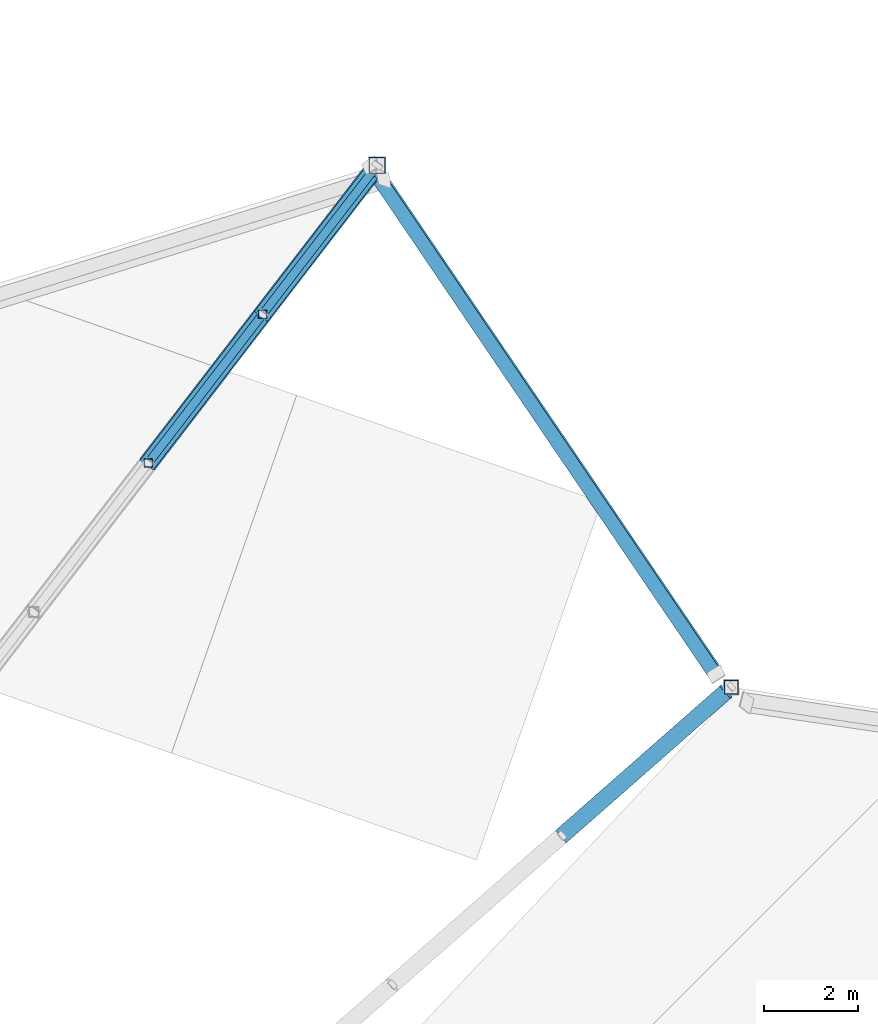
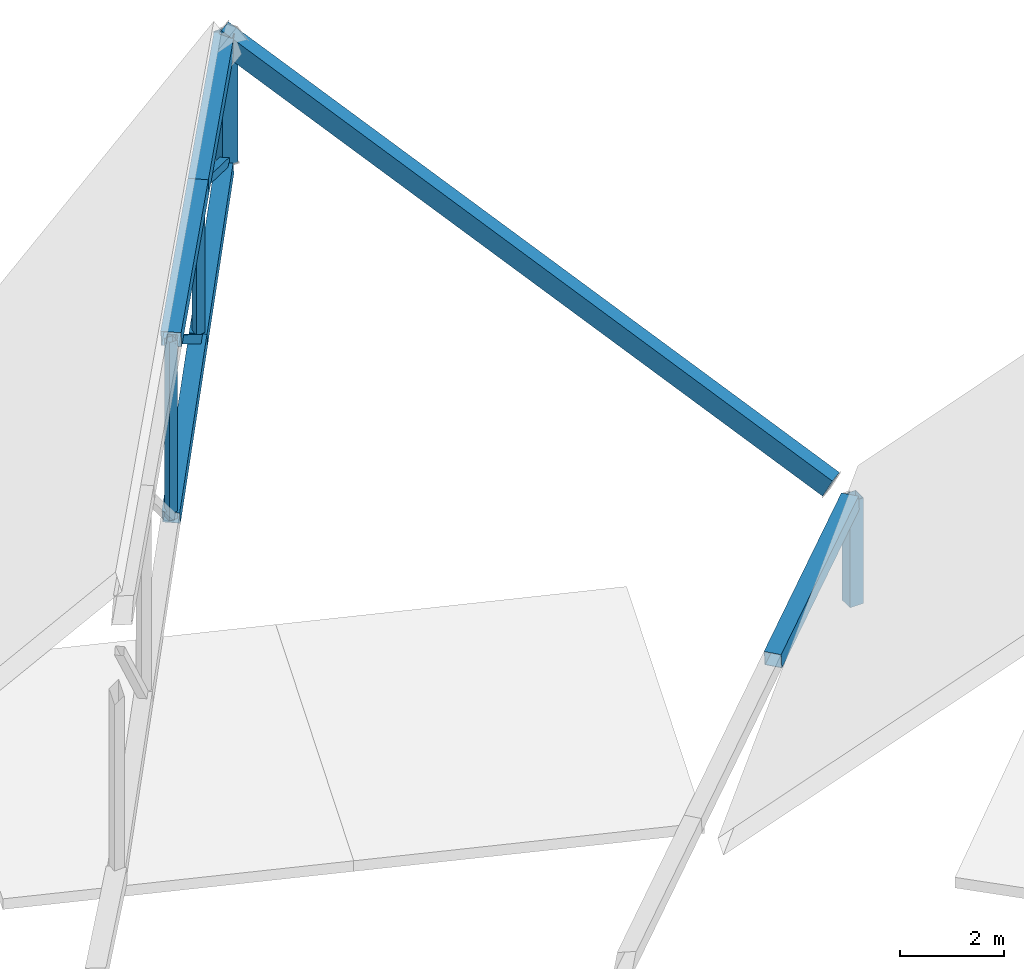
# One storey, part 111 of 188: 11 members, 1 beam.
"""IFC4 building model written with IfcOpenShell, lengths in metres."""

from ifc_helpers import new_model, si_unit, direction, frame, origin, origin_2d, place, context, subcontext, project, spatial, hollow_rectangle, extrude, material, material_profile, profile_set, type_object, element, save


model = new_model("IFC4")

# Units and contexts
model_context = context("Model", 3, precision=1e-05, world=origin(), true_north=direction((0.0, 1.0)))
body_context = subcontext(model_context, "Body", "Model", "MODEL_VIEW")
ifc_project = project(units=[si_unit("LENGTHUNIT", "METRE"), si_unit("AREAUNIT", "SQUARE_METRE"), si_unit("VOLUMEUNIT", "CUBIC_METRE"), si_unit("PLANEANGLEUNIT", "RADIAN"), si_unit("MASSUNIT", "GRAM", prefix="KILO")], contexts=[model_context])

# Site, building, storey
site_placement = place(None, origin())
site = spatial("IfcSite", under=ifc_project, at=site_placement, CompositionType="ELEMENT")
building_placement = place(site_placement, origin())
building = spatial("IfcBuilding", under=site, at=building_placement, Name="Meseta Stadium", CompositionType="ELEMENT")
storey_placement = place(building_placement, frame((0.0, 0.0, 30.0)))
storey = spatial("IfcBuildingStorey", under=building, at=storey_placement, Name="ROOF", CompositionType="ELEMENT", Elevation=30.0)

# Beam
ifc_material_1 = material(Name="Steel S355", Category="steel")
ifc_material_profile_1 = material_profile(ifc_material_1, hollow_rectangle(XDim=0.300048828125, YDim=0.5, WallThickness=0.01611328125, at=origin_2d()), Name="RHS 500x300x16")
ifc_profile_set_1 = profile_set([ifc_material_profile_1], Name="Steel S355")
beam_type = type_object("IfcBeamType", Name="RHS 500x300x16 rim ring beam", PredefinedType="BEAM", material=ifc_profile_set_1)
beam_placement = place(storey_placement, frame((71.531982421875, 91.42919921875, 3.7822265625), z_axis=(-0.501180600457, 0.738615159085, 0.450849922365), x_axis=(-0.84272360708, -0.5349458711, -0.060413881382)))
element("IfcBeam", 1, at=beam_placement, inside=storey, type_object=beam_type, Name="RIM RING BEAM 14", PredefinedType="BEAM", context=body_context, shape_type="SweptSolid", body=[
    extrude(hollow_rectangle(XDim=0.300048828125, YDim=0.5, WallThickness=0.01611328125, at=origin_2d()), origin(), (0.0, 0.0, 1.0), 14.69775390625),
])

# Members
ifc_material_2 = material(Name="Steel S355", Category="steel")
ifc_material_profile_2 = material_profile(ifc_material_2, hollow_rectangle(XDim=0.179931640625, YDim=0.179931640625, WallThickness=0.00634765625, at=origin_2d()), Name="SHS 180x180x6.3")
ifc_profile_set_2 = profile_set([ifc_material_profile_2], Name="Steel S355")
member_type_1 = type_object("IfcMemberType", Name="SHS 180x180x6.3 diagonal", PredefinedType="BRACE", material=ifc_profile_set_2)
member_1_placement = place(storey_placement, frame((59.410400390625, 95.935302734375, 8.718994140625), z_axis=(0.501011440504, 0.651580169951, -0.569588288689), x_axis=(-0.792743963915, 0.609554761836, 0.0)))
element("IfcMember", 2, at=member_1_placement, inside=storey, type_object=member_type_1, Name="ROOF TRUSS RT-14 diagonal", PredefinedType="BRACE", context=body_context, shape_type="SweptSolid", body=[
    extrude(hollow_rectangle(XDim=0.179931640625, YDim=0.179931640625, WallThickness=0.00634765625, at=origin_2d()), origin(), (0.0, 0.0, 1.0), 4.87744140625),
])
member_2_placement = place(storey_placement, frame((61.85400390625, 99.11328125, 9.54443359375), z_axis=(0.535784302245, 0.696819392289, -0.476841604726), x_axis=(-0.792750764849, 0.609545916918, 0.0)))
element("IfcMember", 3, at=member_2_placement, inside=storey, type_object=member_type_1, Name="ROOF TRUSS RT-14 diagonal", PredefinedType="BRACE", context=body_context, shape_type="SweptSolid", body=[
    extrude(hollow_rectangle(XDim=0.179931640625, YDim=0.179931640625, WallThickness=0.00634765625, at=origin_2d()), origin(), (0.0, 0.0, 1.0), 4.560302734375),
])
ifc_material_3 = material(Name="Steel S355", Category="steel")
ifc_material_profile_3 = material_profile(ifc_material_3, hollow_rectangle(XDim=0.179931640625, YDim=0.179931640625, WallThickness=0.00634765625, at=origin_2d()), Name="SHS 180x180x6.3")
ifc_profile_set_3 = profile_set([ifc_material_profile_3], Name="Steel S355")
member_type_2 = type_object("IfcMemberType", Name="SHS 180x180x6.3 post", PredefinedType="POST", material=ifc_profile_set_3)
member_3_placement = place(storey_placement, frame((59.410400390625, 95.935302734375, 4.511962890625), z_axis=(0.0, 0.0, 1.0), x_axis=(1.0, 0.0, 0.0)))
element("IfcMember", 4, at=member_3_placement, inside=storey, type_object=member_type_2, Name="ROOF TRUSS RT-14 post", PredefinedType="POST", context=body_context, shape_type="SweptSolid", body=[
    extrude(hollow_rectangle(XDim=0.179931640625, YDim=0.179931640625, WallThickness=0.00634765625, at=origin_2d()), origin(), (0.0, 0.0, 1.0), 4.20703125),
])
member_4_placement = place(storey_placement, frame((61.85400390625, 99.11328125, 5.94091796875), z_axis=(0.0, 0.0, 1.0), x_axis=(1.0, 0.0, 0.0)))
element("IfcMember", 5, at=member_4_placement, inside=storey, type_object=member_type_2, Name="ROOF TRUSS RT-14 post", PredefinedType="POST", context=body_context, shape_type="SweptSolid", body=[
    extrude(hollow_rectangle(XDim=0.179931640625, YDim=0.179931640625, WallThickness=0.00634765625, at=origin_2d()), origin(), (0.0, 0.0, 1.0), 3.603515625),
])
ifc_material_4 = material(Name="Steel S355", Category="steel")
ifc_material_profile_4 = material_profile(ifc_material_4, hollow_rectangle(XDim=0.300048828125, YDim=0.300048828125, WallThickness=0.010009765625, at=origin_2d()), Name="SHS 300x300x10")
ifc_profile_set_4 = profile_set([ifc_material_profile_4], Name="Steel S355")
member_type_3 = type_object("IfcMemberType", Name="SHS 300x300x10 rim post", PredefinedType="POST", material=ifc_profile_set_4)
member_5_placement = place(storey_placement, frame((71.856689453125, 91.15087890625, 1.066162109375), z_axis=(0.0, 0.0, 1.0), x_axis=(1.0, 0.0, 0.0)))
element("IfcMember", 6, at=member_5_placement, inside=storey, type_object=member_type_3, Name="ROOF TRUSS RT-13 post", PredefinedType="POST", context=body_context, shape_type="SweptSolid", body=[
    extrude(hollow_rectangle(XDim=0.300048828125, YDim=0.300048828125, WallThickness=0.010009765625, at=origin_2d()), origin(), (0.0, 0.0, 1.0), 2.49365234375),
])
ifc_material_5 = material(Name="Steel S355", Category="steel")
ifc_material_profile_5 = material_profile(ifc_material_5, hollow_rectangle(XDim=0.35009765625, YDim=0.35009765625, WallThickness=0.010009765625, at=origin_2d()), Name="SHS 350x350x10")
ifc_profile_set_5 = profile_set([ifc_material_profile_5], Name="Steel S355")
member_type_4 = type_object("IfcMemberType", Name="SHS 350x350x10 bottom chord", PredefinedType="CHORD", material=ifc_profile_set_5)
member_6_placement = place(storey_placement, frame((59.410400390625, 95.935302734375, 4.511962890625), z_axis=(0.574168873902, 0.746723571944, 0.335758858922), x_axis=(-0.792743963915, 0.609554761836, 0.0)))
element("IfcMember", 7, at=member_6_placement, inside=storey, type_object=member_type_4, Name="ROOF TRUSS RT-14 bottom chord", PredefinedType="CHORD", context=body_context, shape_type="SweptSolid", body=[
    extrude(hollow_rectangle(XDim=0.35009765625, YDim=0.35009765625, WallThickness=0.010009765625, at=origin_2d()), origin(), (0.0, 0.0, 1.0), 4.255859375),
])
member_7_placement = place(storey_placement, frame((61.85400390625, 99.11328125, 5.94091796875), z_axis=(0.574162848253, 0.746704856627, 0.335810781207), x_axis=(-0.79273967261, 0.609560342764, 0.0)))
element("IfcMember", 8, at=member_7_placement, inside=storey, type_object=member_type_4, Name="ROOF TRUSS RT-14 bottom chord", PredefinedType="CHORD", context=body_context, shape_type="SweptSolid", body=[
    extrude(hollow_rectangle(XDim=0.35009765625, YDim=0.35009765625, WallThickness=0.010009765625, at=origin_2d()), origin(), (0.0, 0.0, 1.0), 4.080810546875),
])
ifc_material_6 = material(Name="Steel S355", Category="steel")
ifc_material_profile_6 = material_profile(ifc_material_6, hollow_rectangle(XDim=0.35009765625, YDim=0.35009765625, WallThickness=0.010009765625, at=origin_2d()), Name="SHS 350x350x10")
ifc_profile_set_6 = profile_set([ifc_material_profile_6], Name="Steel S355")
member_type_5 = type_object("IfcMemberType", Name="SHS 350x350x10 top chord", PredefinedType="CHORD", material=ifc_profile_set_6)
member_8_placement = place(storey_placement, frame((68.239501953125, 87.9716796875, 2.893798828125), z_axis=(0.744043554402, 0.653933397629, 0.137004746698), x_axis=(-0.660158433584, 0.751126382554, 0.0)))
element("IfcMember", 9, at=member_8_placement, inside=storey, type_object=member_type_5, Name="ROOF TRUSS RT-13 top chord", PredefinedType="CHORD", context=body_context, shape_type="SweptSolid", body=[
    extrude(hollow_rectangle(XDim=0.35009765625, YDim=0.35009765625, WallThickness=0.010009765625, at=origin_2d()), origin(), (0.0, 0.0, 1.0), 4.711669921875),
])
ifc_material_7 = material(Name="Steel S355", Category="steel")
ifc_material_profile_7 = material_profile(ifc_material_7, hollow_rectangle(XDim=0.35009765625, YDim=0.35009765625, WallThickness=0.01416015625, at=origin_2d()), Name="SHS 350x350x14.2")
ifc_profile_set_7 = profile_set([ifc_material_profile_7], Name="Steel S355")
member_type_6 = type_object("IfcMemberType", Name="SHS 350x350x14.2 rim post", PredefinedType="POST", material=ifc_profile_set_7)
member_9_placement = place(storey_placement, frame((64.29736328125, 102.291015625, 7.369873046875), z_axis=(0.0, 0.0, 1.0), x_axis=(1.0, 0.0, 0.0)))
element("IfcMember", 10, at=member_9_placement, inside=storey, type_object=member_type_6, Name="ROOF TRUSS RT-14 post", PredefinedType="POST", context=body_context, shape_type="SweptSolid", body=[
    extrude(hollow_rectangle(XDim=0.35009765625, YDim=0.35009765625, WallThickness=0.01416015625, at=origin_2d()), origin(), (0.0, 0.0, 1.0), 3.0),
])
ifc_material_8 = material(Name="Steel S355", Category="steel")
ifc_material_profile_8 = material_profile(ifc_material_8, hollow_rectangle(XDim=0.39990234375, YDim=0.39990234375, WallThickness=0.010009765625, at=origin_2d()), Name="SHS 400x400x10")
ifc_profile_set_8 = profile_set([ifc_material_profile_8], Name="Steel S355")
member_type_7 = type_object("IfcMemberType", Name="SHS 400x400x10 top chord", PredefinedType="CHORD", material=ifc_profile_set_8)
member_10_placement = place(storey_placement, frame((59.410400390625, 95.935302734375, 8.718994140625), z_axis=(0.597030016327, 0.776455162607, 0.201674341613), x_axis=(-0.792743963915, 0.609554761836, 0.0)))
element("IfcMember", 11, at=member_10_placement, inside=storey, type_object=member_type_7, Name="ROOF TRUSS RT-14 top chord", PredefinedType="CHORD", context=body_context, shape_type="SweptSolid", body=[
    extrude(hollow_rectangle(XDim=0.39990234375, YDim=0.39990234375, WallThickness=0.010009765625, at=origin_2d()), origin(), (0.0, 0.0, 1.0), 4.093017578125),
])
member_11_placement = place(storey_placement, frame((61.85400390625, 99.11328125, 9.54443359375), z_axis=(0.596996369668, 0.776469182261, 0.201719963321), x_axis=(-0.792765881843, 0.609526255863, 0.0)))
element("IfcMember", 12, at=member_11_placement, inside=storey, type_object=member_type_7, Name="ROOF TRUSS RT-14 top chord", PredefinedType="CHORD", context=body_context, shape_type="SweptSolid", body=[
    extrude(hollow_rectangle(XDim=0.39990234375, YDim=0.39990234375, WallThickness=0.010009765625, at=origin_2d()), origin(), (0.0, 0.0, 1.0), 3.917724609375),
])

save(model, "model.ifc")
